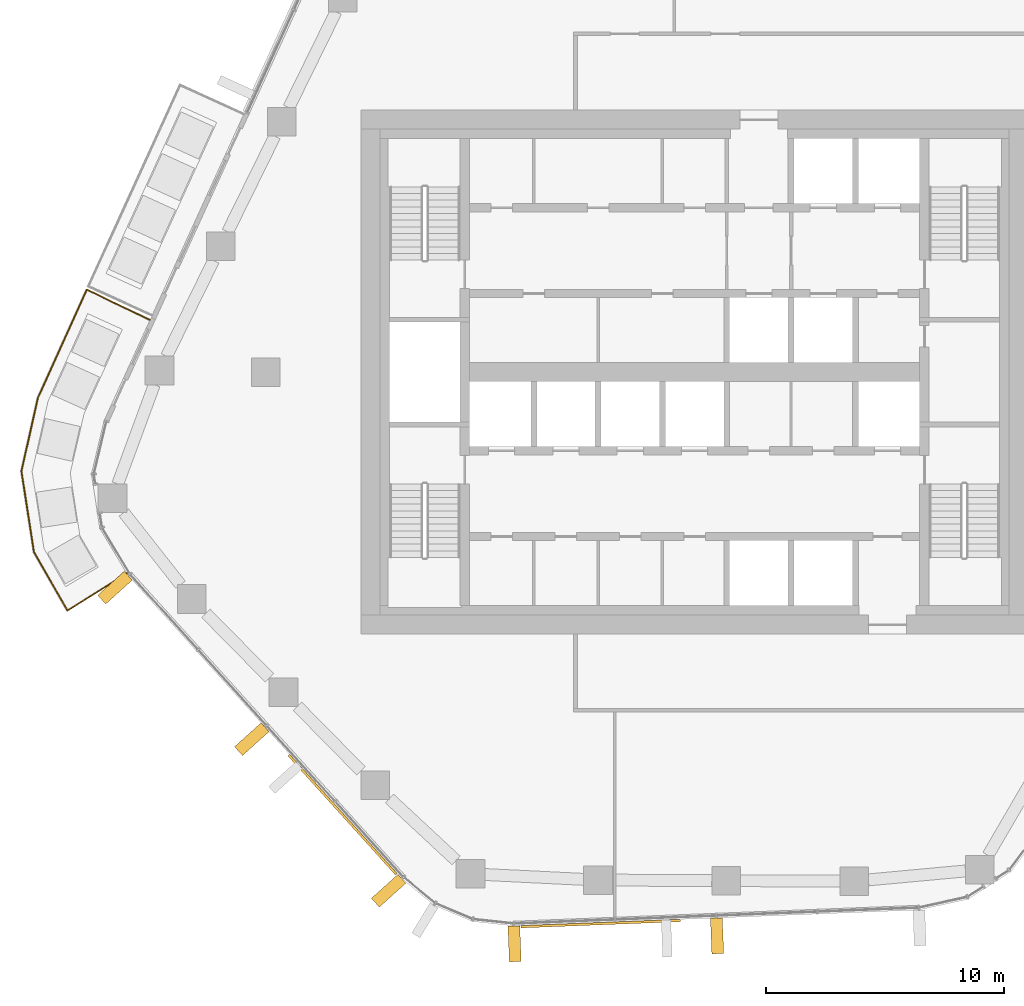
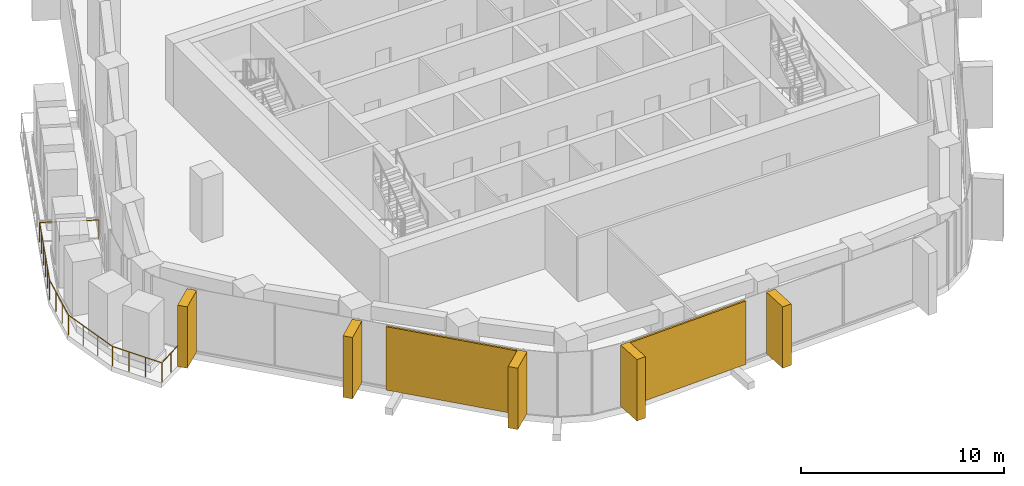
# One storey, part 15 of 18: 7 coverings, 1 railing, 2 elements without a shape of their own.
"""IFC4 building model written with IfcOpenShell, lengths in metres."""

from ifc_helpers import new_model, si_unit, direction, frame, origin, origin_2d, place, context, subcontext, project, spatial, rectangle, circle, extrude, material, layer, layer_set, material_profile, profile_set, type_object, element, aggregate, save


model = new_model("IFC4")

# Units and contexts
model_context = context("Model", 3, precision=1e-05, world=origin(), true_north=direction((0.0, 1.0)))
body_context = subcontext(model_context, "Body", "Model", "MODEL_VIEW")
ifc_project = project(units=[si_unit("LENGTHUNIT", "METRE"), si_unit("AREAUNIT", "SQUARE_METRE"), si_unit("VOLUMEUNIT", "CUBIC_METRE"), si_unit("PLANEANGLEUNIT", "RADIAN"), si_unit("MASSUNIT", "GRAM", prefix="KILO")], contexts=[model_context])

# Site, building, storey
site_placement = place(None, origin())
site = spatial("IfcSite", under=ifc_project, at=site_placement, CompositionType="ELEMENT")
building_placement = place(site_placement, origin())
building = spatial("IfcBuilding", under=site, at=building_placement, Name="Dongbaek Canopy Tower", CompositionType="ELEMENT")
storey_placement = place(building_placement, frame((0.0, 0.0, 203.0)))
storey = spatial("IfcBuildingStorey", under=building, at=storey_placement, Name="L42", CompositionType="ELEMENT", Elevation=203.0)

# Railing
ifc_material_1 = material(Name="Stainless steel", Category="steel")
railing_type = type_object("IfcRailingType", Name="Balcony balustrade 1200", PredefinedType="BALUSTRADE", material=ifc_material_1)
railing_placement = place(storey_placement, frame((-22.8623046875, 2.188720703125, 0.0)))
element("IfcRailing", 1, at=railing_placement, inside=storey, type_object=railing_type, Name="Balcony guard L42 2", PredefinedType="BALUSTRADE", context=body_context, shape_type="SweptSolid", body=[
    extrude(circle(Radius=0.02392578125, at=origin_2d()), frame((0.0, 0.0, 1.17578125), z_axis=(-0.901259905874, 0.433278873319, 0.0), x_axis=(-0.433278873319, -0.901259905874, 0.0)), (0.0, 0.0, 1.0), 2.940673828125),
    extrude(circle(Radius=0.02392578125, at=origin_2d()), frame((-2.650390625, 1.274169921875, 1.17578125), z_axis=(-0.412240513093, -0.911075056933, 0.0), x_axis=(0.911075056933, -0.412240513093, 0.0)), (0.0, 0.0, 1.0), 4.98193359375),
    extrude(circle(Radius=0.02392578125, at=origin_2d()), frame((-4.7041015625, -3.2646484375, 1.17578125), z_axis=(-0.219195960241, -0.975680855103, 0.0), x_axis=(0.975680855103, -0.219195960241, 0.0)), (0.0, 0.0, 1.0), 3.159912109375),
    extrude(circle(Radius=0.02392578125, at=origin_2d()), frame((-5.396728515625, -6.34765625, 1.17578125), z_axis=(0.152755574193, -0.988264000434, 0.0), x_axis=(0.988264000434, 0.152755574193, 0.0)), (0.0, 0.0, 1.0), 3.44091796875),
    extrude(circle(Radius=0.02392578125, at=origin_2d()), frame((-4.87109375, -9.748291015625, 1.17578125), z_axis=(0.497896398435, -0.867236517004, 0.0), x_axis=(0.867236517004, 0.497896398435, 0.0)), (0.0, 0.0, 1.0), 2.825927734375),
    extrude(circle(Radius=0.02392578125, at=origin_2d()), frame((-3.464111328125, -12.198974609375, 1.17578125), z_axis=(0.846680365996, 0.532101830326, 0.0), x_axis=(-0.532101830326, 0.846680365996, 0.0)), (0.0, 0.0, 1.0), 2.940673828125),
    extrude(circle(Radius=0.02099609375, at=origin_2d()), origin(), (0.0, 0.0, 1.0), 1.15185546875),
    extrude(circle(Radius=0.02099609375, at=origin_2d()), frame((-0.883544921875, 0.4248046875, 0.0)), (0.0, 0.0, 1.0), 1.15185546875),
    extrude(circle(Radius=0.02099609375, at=origin_2d()), frame((-1.766845703125, 0.849365234375, 0.0)), (0.0, 0.0, 1.0), 1.15185546875),
    extrude(circle(Radius=0.02099609375, at=origin_2d()), frame((-2.650390625, 1.274169921875, 0.0)), (0.0, 0.0, 1.0), 1.15185546875),
    extrude(circle(Radius=0.02099609375, at=origin_2d()), frame((-3.06103515625, 0.366455078125, 0.0)), (0.0, 0.0, 1.0), 1.15185546875),
    extrude(circle(Radius=0.02099609375, at=origin_2d()), frame((-3.471923828125, -0.541259765625, 0.0)), (0.0, 0.0, 1.0), 1.15185546875),
    extrude(circle(Radius=0.02099609375, at=origin_2d()), frame((-3.882568359375, -1.44921875, 0.0)), (0.0, 0.0, 1.0), 1.15185546875),
    extrude(circle(Radius=0.02099609375, at=origin_2d()), frame((-4.29345703125, -2.35693359375, 0.0)), (0.0, 0.0, 1.0), 1.15185546875),
    extrude(circle(Radius=0.02099609375, at=origin_2d()), frame((-4.7041015625, -3.2646484375, 0.0)), (0.0, 0.0, 1.0), 1.15185546875),
    extrude(circle(Radius=0.02099609375, at=origin_2d()), frame((-4.93505859375, -4.292236328125, 0.0)), (0.0, 0.0, 1.0), 1.15185546875),
    extrude(circle(Radius=0.02099609375, at=origin_2d()), frame((-5.165771484375, -5.320068359375, 0.0)), (0.0, 0.0, 1.0), 1.15185546875),
    extrude(circle(Radius=0.02099609375, at=origin_2d()), frame((-5.396728515625, -6.34765625, 0.0)), (0.0, 0.0, 1.0), 1.15185546875),
    extrude(circle(Radius=0.02099609375, at=origin_2d()), frame((-5.221435546875, -7.481201171875, 0.0)), (0.0, 0.0, 1.0), 1.15185546875),
    extrude(circle(Radius=0.02099609375, at=origin_2d()), frame((-5.04638671875, -8.61474609375, 0.0)), (0.0, 0.0, 1.0), 1.15185546875),
    extrude(circle(Radius=0.02099609375, at=origin_2d()), frame((-4.87109375, -9.748291015625, 0.0)), (0.0, 0.0, 1.0), 1.15185546875),
    extrude(circle(Radius=0.02099609375, at=origin_2d()), frame((-4.402099609375, -10.565185546875, 0.0)), (0.0, 0.0, 1.0), 1.15185546875),
    extrude(circle(Radius=0.02099609375, at=origin_2d()), frame((-3.93310546875, -11.382080078125, 0.0)), (0.0, 0.0, 1.0), 1.15185546875),
    extrude(circle(Radius=0.02099609375, at=origin_2d()), frame((-3.464111328125, -12.198974609375, 0.0)), (0.0, 0.0, 1.0), 1.15185546875),
    extrude(circle(Radius=0.02099609375, at=origin_2d()), frame((-2.63427734375, -11.677490234375, 0.0)), (0.0, 0.0, 1.0), 1.15185546875),
    extrude(circle(Radius=0.02099609375, at=origin_2d()), frame((-1.80419921875, -11.15576171875, 0.0)), (0.0, 0.0, 1.0), 1.15185546875),
    extrude(circle(Radius=0.02099609375, at=origin_2d()), frame((-0.974365234375, -10.63427734375, 0.0)), (0.0, 0.0, 1.0), 1.15185546875),
])

# Curtain wall, covering
ifc_material_2 = material(Name="Aluminium 6063-T6 pale anodised", Category="aluminium")
ifc_layer_1 = layer(ifc_material_2, 0.199951171875)
ifc_layer_set_1 = layer_set([ifc_layer_1], Name="CW-1 unitised tower curtain wall")
curtain_wall_type = type_object("IfcCurtainWallType", Name="CW-1 unitised tower curtain wall", PredefinedType="NOTDEFINED", material=ifc_layer_set_1)
curtain_wall_1_placement = place(storey_placement, origin())
curtain_wall_1 = element("IfcCurtainWall", 2, at=curtain_wall_1_placement, inside=storey, type_object=curtain_wall_type, Name="CW-1 curtain wall F3.1", PredefinedType="NOTDEFINED")
ifc_material_3 = material(Name="Perforated aluminium 6063-T6 pale metal screen", Category="aluminium")
ifc_layer_2 = layer(ifc_material_3, 0.10009765625)
ifc_layer_set_2 = layer_set([ifc_layer_2], Name="Facet screen FS1 100 pale metal")
covering_type_1 = type_object("IfcCoveringType", Name="Facet screen FS1 100 pale metal", PredefinedType="CLADDING", material=ifc_layer_set_2)
covering_1_placement = place(storey_placement, frame((-14.77685546875, -18.582275390625, 0.0), z_axis=(0.0, 0.0, 1.0), x_axis=(0.670067827801, -0.742299876159, 0.0)))
covering_1 = element("IfcCovering", 3, at=covering_1_placement, type_object=covering_type_1, Name="Facet screen L42 F3", PredefinedType="CLADDING", context=body_context, shape_type="SweptSolid", body=[
    extrude(rectangle(XDim=6.74560546875, YDim=0.10009765625, at=origin_2d()), origin(), (0.0, 0.0, 1.0), 3.820068359375),
])

curtain_wall_2_placement = place(storey_placement, origin())
curtain_wall_2 = element("IfcCurtainWall", 4, at=curtain_wall_2_placement, inside=storey, type_object=curtain_wall_type, Name="CW-1 curtain wall F4.1", PredefinedType="NOTDEFINED")
covering_2_placement = place(storey_placement, frame((-3.94775390625, -23.153564453125, 0.0), z_axis=(0.0, 0.0, 1.0), x_axis=(0.999228419426, 0.039275511607, 0.0)))
covering_2 = element("IfcCovering", 5, at=covering_2_placement, type_object=covering_type_1, Name="Facet screen L42 F4", PredefinedType="CLADDING", context=body_context, shape_type="SweptSolid", body=[
    extrude(rectangle(XDim=6.7001953125, YDim=0.10009765625, at=origin_2d()), origin(), (0.0, 0.0, 1.0), 3.820068359375),
])

# Covering
ifc_material_4 = material(Name="Aluminium 6063-T6 pale metal fin", Category="aluminium")
ifc_material_profile = material_profile(ifc_material_4, rectangle(XDim=1.5, YDim=0.5, at=origin_2d()), Name="Fin FN1 500 x 1500 pale metal")
ifc_profile_set = profile_set([ifc_material_profile], Name="Aluminium 6063-T6 pale metal fin")
covering_type_2 = type_object("IfcCoveringType", Name="Fin FN1 500 x 1500 pale metal", PredefinedType="CLADDING", material=ifc_profile_set)
covering_3_placement = place(storey_placement, frame((-24.330322265625, -9.0498046875, 0.1201171875), z_axis=(0.0, 0.0, 1.0), x_axis=(-0.742300008663, -0.670067681014, 0.0)))
covering_3 = element("IfcCovering", 6, at=covering_3_placement, type_object=covering_type_2, Name="Fin F3.1.1", PredefinedType="CLADDING", context=body_context, shape_type="SweptSolid", body=[
    extrude(rectangle(XDim=1.5, YDim=0.5, at=origin_2d()), origin(), (0.0, 0.0, 1.0), 3.699951171875),
])

covering_4_placement = place(storey_placement, frame((-18.58837890625, -15.410400390625, 0.1201171875), z_axis=(0.0, 0.0, 1.0), x_axis=(-0.742300008663, -0.670067681014, 0.0)))
covering_4 = element("IfcCovering", 7, at=covering_4_placement, type_object=covering_type_2, Name="Fin F3.1.3", PredefinedType="CLADDING", context=body_context, shape_type="SweptSolid", body=[
    extrude(rectangle(XDim=1.5, YDim=0.5, at=origin_2d()), origin(), (0.0, 0.0, 1.0), 3.699951171875),
])

covering_5_placement = place(storey_placement, frame((-12.844970703125, -21.77294921875, 0.1201171875), z_axis=(0.0, 0.0, 1.0), x_axis=(-0.742300008663, -0.670067681014, 0.0)))
covering_5 = element("IfcCovering", 8, at=covering_5_placement, type_object=covering_type_2, Name="Fin F3.1.5", PredefinedType="CLADDING", context=body_context, shape_type="SweptSolid", body=[
    extrude(rectangle(XDim=1.5, YDim=0.5, at=origin_2d()), origin(), (0.0, 0.0, 1.0), 3.699951171875),
])

aggregate(curtain_wall_1, [covering_3, covering_4, covering_5, covering_1])

covering_6_placement = place(storey_placement, frame((-7.55712890625, -24.0, 0.1201171875), z_axis=(0.0, 0.0, 1.0), x_axis=(0.039275850271, -0.999228406114, 0.0)))
covering_6 = element("IfcCovering", 9, at=covering_6_placement, type_object=covering_type_2, Name="Fin F4.1.1", PredefinedType="CLADDING", context=body_context, shape_type="SweptSolid", body=[
    extrude(rectangle(XDim=1.5, YDim=0.5, at=origin_2d()), origin(), (0.0, 0.0, 1.0), 3.699951171875),
])

covering_7_placement = place(storey_placement, frame((0.944091796875, -23.665771484375, 0.1201171875), z_axis=(0.0, 0.0, 1.0), x_axis=(0.039275850271, -0.999228406114, 0.0)))
covering_7 = element("IfcCovering", 10, at=covering_7_placement, type_object=covering_type_2, Name="Fin F4.1.3", PredefinedType="CLADDING", context=body_context, shape_type="SweptSolid", body=[
    extrude(rectangle(XDim=1.5, YDim=0.5, at=origin_2d()), origin(), (0.0, 0.0, 1.0), 3.699951171875),
])

aggregate(curtain_wall_2, [covering_6, covering_7, covering_2])

save(model, "model.ifc")
